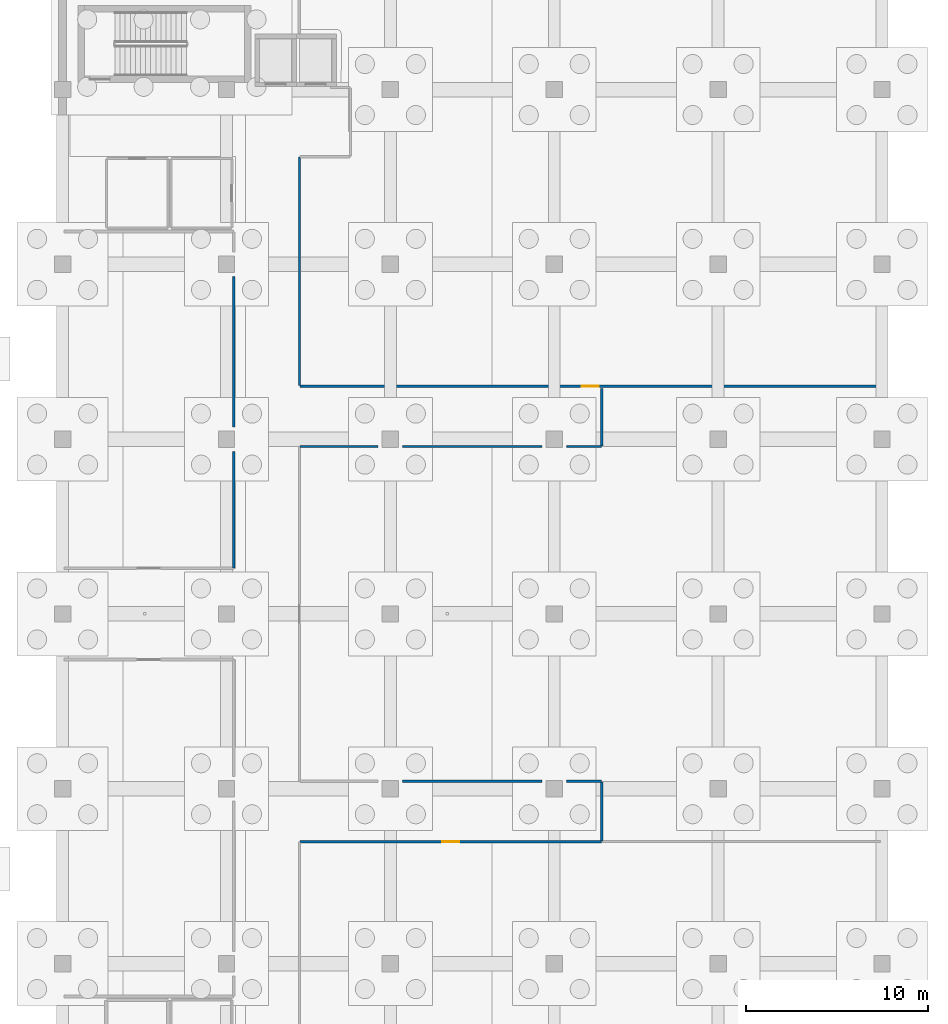
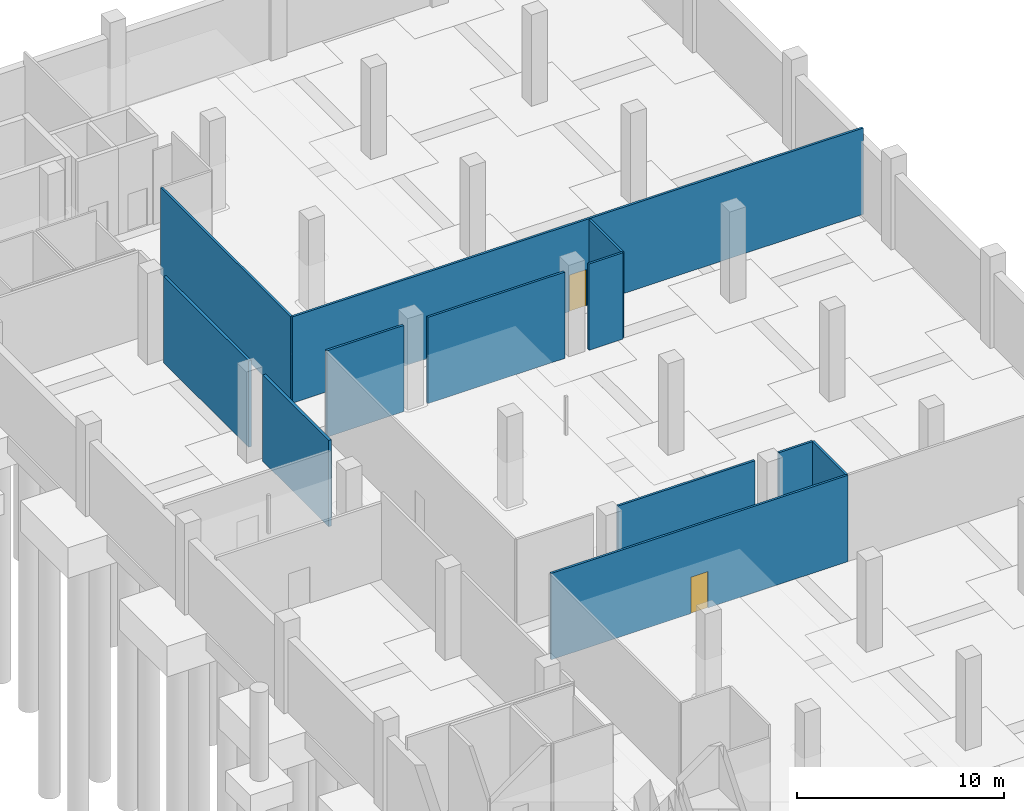
# One storey, part 9 of 22: 12 walls, 2 doors, 2 openings.
"""IFC4 building model written with IfcOpenShell, lengths in metres."""

from ifc_helpers import new_model, si_unit, direction, frame, frame_2d, origin, place, context, subcontext, project, spatial, rectangle, extrude, material, layer, layer_set, type_object, element, fill, save


model = new_model("IFC4")

# Units and contexts
model_context = context("Model", 3, precision=1e-05, world=origin(), true_north=direction((0.0, 1.0)))
body_context = subcontext(model_context, "Body", "Model", "MODEL_VIEW")
ifc_project = project(units=[si_unit("LENGTHUNIT", "METRE"), si_unit("AREAUNIT", "SQUARE_METRE"), si_unit("VOLUMEUNIT", "CUBIC_METRE"), si_unit("PLANEANGLEUNIT", "RADIAN"), si_unit("MASSUNIT", "GRAM", prefix="KILO")], contexts=[model_context])

# Site, building, storey
site_placement = place(None, origin())
site = spatial("IfcSite", under=ifc_project, at=site_placement, CompositionType="ELEMENT")
building_placement = place(site_placement, origin())
building = spatial("IfcBuilding", under=site, at=building_placement, Name="Qorvath Tower", CompositionType="ELEMENT")
storey_placement = place(building_placement, frame((0.0, 0.0, -5.39990234375)))
storey = spatial("IfcBuildingStorey", under=building, at=storey_placement, Name="B01", CompositionType="ELEMENT", Elevation=-5.39990234375)

# Walls
ifc_material_1 = material(Name="Double acoustic gypsum board on steel studs", Category="steel")
ifc_layer_1 = layer(ifc_material_1, 0.159912109375)
ifc_layer_set_1 = layer_set([ifc_layer_1], Name="IW-ACOUSTIC-160")
wall_type_1 = type_object("IfcWallType", Name="IW-ACOUSTIC-160", PredefinedType="PARTITIONING", material=ifc_layer_set_1)
wall_1_placement = place(storey_placement, frame((41.800048828125, 2.533203125, 0.0), z_axis=(0.0, 0.0, 1.0), x_axis=(0.0, 1.0, 0.0)))
element("IfcWall", 1, at=wall_1_placement, inside=storey, type_object=wall_type_1, Name="Interior Partition IW-LB-B01-019", PredefinedType="PARTITIONING", context=body_context, shape_type="SweptSolid", body=[
    extrude(rectangle(XDim=6.391845703125, YDim=0.159912109375, at=frame_2d((3.19580078125, 0.0))), origin(), (0.0, 0.0, 1.0), 5.099853515625),
])
wall_2_placement = place(storey_placement, frame((41.800048828125, 10.27490234375, 0.0), z_axis=(0.0, 0.0, 1.0), x_axis=(0.0, 1.0, 0.0)))
element("IfcWall", 2, at=wall_2_placement, inside=storey, type_object=wall_type_1, Name="Interior Partition IW-LB-B01-020", PredefinedType="PARTITIONING", context=body_context, shape_type="SweptSolid", body=[
    extrude(rectangle(XDim=8.25, YDim=0.159912109375, at=frame_2d((4.125, 0.0))), origin(), (0.0, 0.0, 1.0), 5.099853515625),
])
ifc_material_2 = material(Name="Gypsum board on metal studs with mineral wool", Category="gypsum")
ifc_layer_2 = layer(ifc_material_2, 0.125)
ifc_layer_set_2 = layer_set([ifc_layer_2], Name="IW-PART-125")
wall_type_2 = type_object("IfcWallType", Name="IW-PART-125", PredefinedType="PARTITIONING", material=ifc_layer_set_2)
wall_3_placement = place(storey_placement, frame((45.407958984375, 25.087158203125, 0.0), z_axis=(0.0, 0.0, 1.0), x_axis=(0.0, -1.0, 0.0)))
element("IfcWall", 3, at=wall_3_placement, inside=storey, type_object=wall_type_2, Name="Interior Partition IW-LB-B01-030", PredefinedType="PARTITIONING", context=body_context, shape_type="SweptSolid", body=[
    extrude(rectangle(XDim=12.553955078125, YDim=0.125, at=frame_2d((6.27685546875, 0.0))), origin(), (0.0, 0.0, 1.0), 5.099853515625),
])

# Wall, opening, door
wall_4_placement = place(storey_placement, frame((45.43310546875, 12.508056640625, 0.0), z_axis=(0.0, 0.0, 1.0), x_axis=(0.999999968081, -0.000252662519, 0.0)))
wall_4 = element("IfcWall", 4, at=wall_4_placement, inside=storey, type_object=wall_type_2, Name="Interior Partition IW-LB-B01-031", PredefinedType="PARTITIONING", context=body_context, shape_type="SweptSolid", body=[
    extrude(rectangle(XDim=31.886962890625, YDim=0.125, at=frame_2d((15.943359375, 0.0))), origin(), (0.0, 0.0, 1.0), 5.099853515625),
])
opening_1_placement = place(wall_4_placement, frame((15.468505859375, 0.0, 0.0)))
opening_1 = element("IfcOpeningElement", 5, at=opening_1_placement, cuts=wall_4, Name="Opening D-LB-B01-07", PredefinedType="OPENING", context=body_context, shape_type="SweptSolid", body=[
    extrude(rectangle(XDim=0.949951171875, YDim=2.14990234375, at=frame_2d((0.47509765625, 1.074951171875))), frame((0.0, 0.072509765625, 0.0), z_axis=(0.0, -1.0, 0.0), x_axis=(1.0, 0.0, 0.0)), (0.0, 0.0, 1.0), 0.14501953125),
])
ifc_material_3 = material(Name="Solid-core American white oak veneer", Category="wood")
door_type = type_object("IfcDoorType", Name="D-01", OperationType="NOTDEFINED", PredefinedType="DOOR", material=ifc_material_3)
door_1_placement = place(opening_1_placement, origin())
door_1 = element("IfcDoor", 6, at=door_1_placement, inside=storey, type_object=door_type, Name="L-B01-ARC-N Rolling Compact Archive North Door D-LB-B01-07", OperationType="SINGLE_SWING_RIGHT", OverallHeight=2.14990234375, OverallWidth=0.949951171875, PredefinedType="DOOR", context=body_context, shape_type="SweptSolid", body=[
    extrude(rectangle(XDim=0.949951171875, YDim=2.14990234375, at=frame_2d((0.47509765625, 1.074951171875))), frame((0.0, 0.02490234375, 0.0), z_axis=(0.0, -1.0, 0.0), x_axis=(1.0, 0.0, 0.0)), (0.0, 0.0, 1.0), 0.050048828125),
])
fill(opening_1, door_1)

# Walls
wall_5_placement = place(storey_placement, frame((62.008056640625, -9.216796875, 0.0), z_axis=(0.0, 0.0, 1.0), x_axis=(0.0, -1.0, 0.0)))
element("IfcWall", 7, at=wall_5_placement, inside=storey, type_object=wall_type_2, Name="Interior Partition IW-LB-B01-033", PredefinedType="PARTITIONING", context=body_context, shape_type="SweptSolid", body=[
    extrude(rectangle(XDim=3.25830078125, YDim=0.125, at=frame_2d((1.629150390625, 0.0))), origin(), (0.0, 0.0, 1.0), 5.099853515625),
])
wall_6_placement = place(storey_placement, frame((62.008056640625, 12.393798828125, 0.0), z_axis=(0.0, 0.0, 1.0), x_axis=(0.0, -1.0, 0.0)))
element("IfcWall", 8, at=wall_6_placement, inside=storey, type_object=wall_type_2, Name="Interior Partition IW-LB-B01-035", PredefinedType="PARTITIONING", context=body_context, shape_type="SweptSolid", body=[
    extrude(rectangle(XDim=3.177001953125, YDim=0.125, at=frame_2d((1.58837890625, 0.0))), origin(), (0.0, 0.0, 1.0), 5.099853515625),
])
wall_7_placement = place(storey_placement, frame((61.983154296875, 9.19189453125, 0.0), z_axis=(0.0, 0.0, 1.0), x_axis=(-1.0, 0.0, 0.0)))
element("IfcWall", 9, at=wall_7_placement, inside=storey, type_object=wall_type_2, Name="Interior Partition IW-LB-B01-036", PredefinedType="PARTITIONING", context=body_context, shape_type="SweptSolid", body=[
    extrude(rectangle(XDim=1.908203125, YDim=0.125, at=frame_2d((0.9541015625, 0.0))), origin(), (0.0, 0.0, 1.0), 5.099853515625),
])
wall_8_placement = place(storey_placement, frame((58.72509765625, 9.19189453125, 0.0), z_axis=(0.0, 0.0, 1.0), x_axis=(-1.0, 0.0, 0.0)))
element("IfcWall", 10, at=wall_8_placement, inside=storey, type_object=wall_type_2, Name="Interior Partition IW-LB-B01-037", PredefinedType="PARTITIONING", context=body_context, shape_type="SweptSolid", body=[
    extrude(rectangle(XDim=7.650146484375, YDim=0.125, at=frame_2d((3.8251953125, 0.0))), origin(), (0.0, 0.0, 1.0), 5.099853515625),
])
wall_9_placement = place(storey_placement, frame((49.72509765625, 9.19189453125, 0.0), z_axis=(0.0, 0.0, 1.0), x_axis=(-1.0, 0.0, 0.0)))
element("IfcWall", 11, at=wall_9_placement, inside=storey, type_object=wall_type_2, Name="Interior Partition IW-LB-B01-038", PredefinedType="PARTITIONING", context=body_context, shape_type="SweptSolid", body=[
    extrude(rectangle(XDim=4.2919921875, YDim=0.125, at=frame_2d((2.14599609375, 0.0))), origin(), (0.0, 0.0, 1.0), 5.099853515625),
])
wall_10_placement = place(storey_placement, frame((51.074951171875, -9.19189453125, 0.0), z_axis=(0.0, 0.0, 1.0), x_axis=(1.0, 0.0, 0.0)))
element("IfcWall", 12, at=wall_10_placement, inside=storey, type_object=wall_type_2, Name="Interior Partition IW-LB-B01-041", PredefinedType="PARTITIONING", context=body_context, shape_type="SweptSolid", body=[
    extrude(rectangle(XDim=7.650146484375, YDim=0.125, at=frame_2d((3.8251953125, 0.0))), origin(), (0.0, 0.0, 1.0), 5.099853515625),
])
wall_11_placement = place(storey_placement, frame((60.074951171875, -9.19189453125, 0.0), z_axis=(0.0, 0.0, 1.0), x_axis=(1.0, 0.0, 0.0)))
element("IfcWall", 13, at=wall_11_placement, inside=storey, type_object=wall_type_2, Name="Interior Partition IW-LB-B01-042", PredefinedType="PARTITIONING", context=body_context, shape_type="SweptSolid", body=[
    extrude(rectangle(XDim=1.908203125, YDim=0.125, at=frame_2d((0.9541015625, 0.0))), origin(), (0.0, 0.0, 1.0), 5.099853515625),
])

# Wall, opening, door
wall_12_placement = place(storey_placement, frame((62.00830078125, -12.508056640625, 0.0), z_axis=(0.0, 0.0, 1.0), x_axis=(-1.0, 0.0, 0.0)))
wall_12 = element("IfcWall", 14, at=wall_12_placement, inside=storey, type_object=wall_type_2, Name="Interior Partition IW-LB-B01-043", PredefinedType="PARTITIONING", context=body_context, shape_type="SweptSolid", body=[
    extrude(rectangle(XDim=16.5751953125, YDim=0.125, at=frame_2d((8.28759765625, 0.0))), origin(), (0.0, 0.0, 1.0), 5.099853515625),
])
opening_2_placement = place(wall_12_placement, frame((7.8125, 0.0, 0.0)))
opening_2 = element("IfcOpeningElement", 15, at=opening_2_placement, cuts=wall_12, Name="Opening D-LB-B01-09", PredefinedType="OPENING", context=body_context, shape_type="SweptSolid", body=[
    extrude(rectangle(XDim=0.949951171875, YDim=2.14990234375, at=frame_2d((0.47509765625, 1.074951171875))), frame((0.0, 0.072509765625, 0.0), z_axis=(0.0, -1.0, 0.0), x_axis=(1.0, 0.0, 0.0)), (0.0, 0.0, 1.0), 0.14501953125),
])
door_2_placement = place(opening_2_placement, origin())
door_2 = element("IfcDoor", 16, at=door_2_placement, inside=storey, type_object=door_type, Name="L-B01-ARC-S Rolling Compact Archive South Door D-LB-B01-09", OperationType="SINGLE_SWING_RIGHT", OverallHeight=2.14990234375, OverallWidth=0.949951171875, PredefinedType="DOOR", context=body_context, shape_type="SweptSolid", body=[
    extrude(rectangle(XDim=0.949951171875, YDim=2.14990234375, at=frame_2d((0.47509765625, 1.074951171875))), frame((0.0, 0.02490234375, 0.0), z_axis=(0.0, -1.0, 0.0), x_axis=(1.0, 0.0, 0.0)), (0.0, 0.0, 1.0), 0.050048828125),
])
fill(opening_2, door_2)

save(model, "model.ifc")
